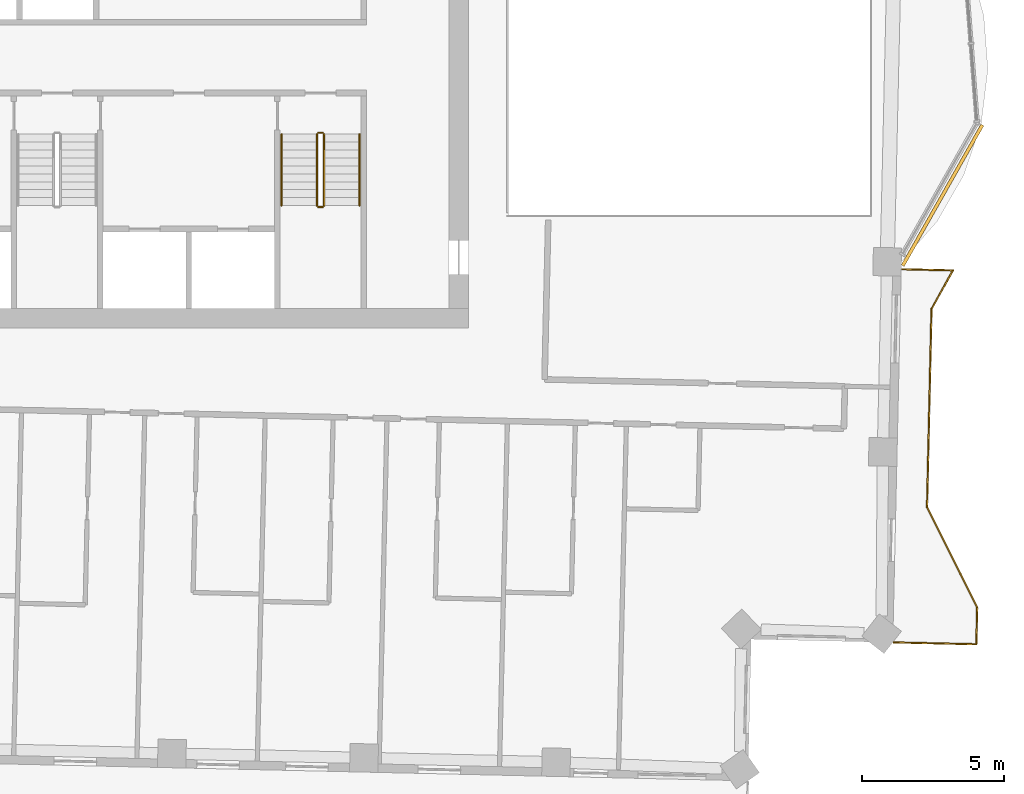
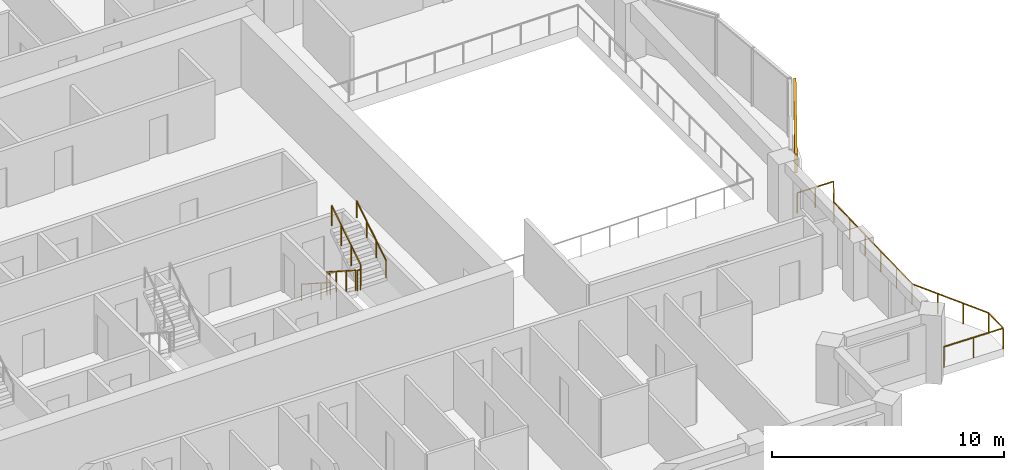
# One storey, part 16 of 17: 7 railings, 1 covering.
"""IFC4 building model written with IfcOpenShell, lengths in metres."""

import ifcopenshell
import ifcopenshell.guid

model = None  # the IFC model being written
_history = None  # IfcOwnerHistory: only IFC2X3 demands one
_inside = {}  # id of a spatial element -> (the spatial element, [elements in it])
_under = {}  # id of a project, library or spatial element -> (it, [spatial elements below it])
_declared = {}  # id of a project -> (the project, [libraries it declares])
_typed = {}  # id of a type object -> (the type object, [elements of that type])
_made_of = {}  # id of a material, layer set ... -> (it, [elements and type objects made of it])


def new_model(schema):
    """Start an empty IFC model of exactly this schema.

    Asked for "IFC4X3", IfcOpenShell would pick the latest addendum, in which some entities
    have other attributes; the version numbers below select the first issue.
    IFC2X3 requires an IfcOwnerHistory on every rooted entity: one is made here for all.
    """
    global model, _history
    if schema == "IFC4X3":
        model = ifcopenshell.file(schema_version=(4, 3, 0, 0))
    else:
        model = ifcopenshell.file(schema=schema)
    _inside.clear()
    _under.clear()
    _declared.clear()
    _typed.clear()
    _made_of.clear()
    _history = None
    if model.schema == "IFC2X3":
        org = make("IfcOrganization", Name="unknown")
        user = make(
            "IfcPersonAndOrganization",
            ThePerson=make("IfcPerson", FamilyName="unknown"),
            TheOrganization=org,
        )
        app = make(
            "IfcApplication",
            ApplicationDeveloper=org,
            Version="unknown",
            ApplicationFullName="unknown",
            ApplicationIdentifier="unknown",
        )
        _history = make(
            "IfcOwnerHistory",
            OwningUser=user,
            OwningApplication=app,
            ChangeAction="ADDED",
            CreationDate=0,
        )
    return model


def make(cls, **values):
    """One entity of the class cls with the attributes given. An attribute that is None is left unset."""
    return model.create_entity(
        cls, **{name: value for name, value in values.items() if value is not None}
    )


def rooted(cls, **values):
    """An entity with a GlobalId (a new one), such as an element, a storey or a relation."""
    return make(cls, GlobalId=ifcopenshell.guid.new(), OwnerHistory=_history, **values)


def si_unit(unit_type, name, prefix=None):
    """IfcSIUnit, for example si_unit("LENGTHUNIT", "METRE", prefix="MILLI")."""
    return make("IfcSIUnit", UnitType=unit_type, Prefix=prefix, Name=name)


def assignment(units):
    """IfcUnitAssignment: the units of a project."""
    return None if units is None else make("IfcUnitAssignment", Units=units)


def point(xyz):
    """IfcCartesianPoint."""
    return None if xyz is None else make("IfcCartesianPoint", Coordinates=xyz)


def direction(xyz):
    """IfcDirection."""
    return None if xyz is None else make("IfcDirection", DirectionRatios=xyz)


def frame(location, z_axis=None, x_axis=None):
    """IfcAxis2Placement3D, a coordinate frame: its origin and axes. An axis left out is left unset."""
    return make(
        "IfcAxis2Placement3D",
        Location=point(location),
        Axis=direction(z_axis),
        RefDirection=direction(x_axis),
    )


def frame_2d(location, x_axis=None):
    """IfcAxis2Placement2D, a coordinate frame in the plane: its origin and x axis."""
    return make(
        "IfcAxis2Placement2D", Location=point(location), RefDirection=direction(x_axis)
    )


def origin():
    """The frame at (0, 0, 0) with its axes left unset."""
    return frame((0.0, 0.0, 0.0))


def origin_2d():
    """The frame at (0, 0) in the plane with its x axis left unset."""
    return frame_2d((0.0, 0.0))


def place(relative_to, where):
    """IfcLocalPlacement: puts the frame where relative to a parent placement (None: the world)."""
    return make(
        "IfcLocalPlacement", PlacementRelTo=relative_to, RelativePlacement=where
    )


def context(
    kind, dimensions, precision=None, world=None, true_north=None, identifier=None
):
    """IfcGeometricRepresentationContext, for example the 3D "Model" context."""
    return make(
        "IfcGeometricRepresentationContext",
        ContextIdentifier=identifier,
        ContextType=kind,
        CoordinateSpaceDimension=dimensions,
        Precision=precision,
        WorldCoordinateSystem=world,
        TrueNorth=true_north,
    )


def subcontext(parent, identifier, kind, view, scale=None):
    """IfcGeometricRepresentationSubContext, for example "Body" below "Model"."""
    return make(
        "IfcGeometricRepresentationSubContext",
        ContextIdentifier=identifier,
        ContextType=kind,
        ParentContext=parent,
        TargetScale=scale,
        TargetView=view,
    )


def project(units=None, contexts=None):
    """IfcProject with its units and contexts."""
    return rooted(
        "IfcProject",
        Name="project",
        RepresentationContexts=contexts,
        UnitsInContext=assignment(units),
    )


def spatial(cls, under=None, at=None, **own):
    """A site, building, storey or space (cls), placed at a placement, below another one or the project."""
    s = rooted(cls, ObjectPlacement=at, **own)
    if under is not None:
        _under.setdefault(under.id(), (under, []))[1].append(s)
    return s


def profile(cls, at=None, kind="AREA", **sizes):
    """A parametric profile (cls). Its sizes go by their IFC names, for example OverallWidth=200.0."""
    return make(cls, ProfileType=kind, Position=at, **sizes)


def rectangle(**sizes):
    """IfcRectangleProfileDef."""
    return profile("IfcRectangleProfileDef", **sizes)


def circle(**sizes):
    """IfcCircleProfileDef."""
    return profile("IfcCircleProfileDef", **sizes)


def extrude(swept, where, along, depth):
    """IfcExtrudedAreaSolid: the profile swept, set in the frame where, extruded along a direction by depth."""
    return make(
        "IfcExtrudedAreaSolid",
        SweptArea=swept,
        Position=where,
        ExtrudedDirection=direction(along),
        Depth=depth,
    )


def shape(context_of_items, identifier, shape_type, items):
    """IfcShapeRepresentation: the items that make up one representation, for example the "Body"."""
    return make(
        "IfcShapeRepresentation",
        ContextOfItems=context_of_items,
        RepresentationIdentifier=identifier,
        RepresentationType=shape_type,
        Items=items,
    )


def material(Name=None, Category=None):
    """IfcMaterial."""
    return make("IfcMaterial", Name=Name, Category=Category)


def layer(
    of_material, thickness, ventilated=None, Name=None, Category=None, Priority=None
):
    """IfcMaterialLayer: one layer of a wall or slab, of a material (None: an air gap)."""
    return make(
        "IfcMaterialLayer",
        Material=of_material,
        LayerThickness=thickness,
        IsVentilated=ventilated,
        Name=Name,
        Category=Category,
        Priority=Priority,
    )


def layer_set(layers, Name=None):
    """IfcMaterialLayerSet."""
    return make("IfcMaterialLayerSet", MaterialLayers=layers, LayerSetName=Name)


def made_of(thing, what):
    """Note that an element or type object is made of a material, layer set ...; save() writes the relation."""
    if what is not None:
        _made_of.setdefault(what.id(), (what, []))[1].append(thing)
    return thing


def type_object(cls, material=None, **own):
    """A type object (cls), such as IfcWallType, which elements share."""
    return made_of(rooted(cls, **own), material)


def element(
    cls,
    number,
    at=None,
    inside=None,
    cuts=None,
    type_object=None,
    material=None,
    context=None,
    identifier="Body",
    shape_type=None,
    held_by="IfcProductDefinitionShape",
    body=None,
    shapes=None,
    **own,
):
    """One element of the class cls, such as IfcWall. Its Tag is "e" and its number.

    at: its placement. inside: the storey or other place that contains it. cuts: it is an
    opening in that element (IfcRelVoidsElement). A single representation is given by context,
    identifier, shape_type and body (its items); several are given by shapes. held_by: the class
    of the entity that holds the representations. save() writes the other relations.
    """
    e = rooted(cls, Tag="e%d" % number, ObjectPlacement=at, **own)
    if body is not None:
        shapes = [shape(context, identifier, shape_type, body)]
    if shapes is not None:
        e.Representation = make(held_by, Representations=shapes)
    if inside is not None:
        _inside.setdefault(inside.id(), (inside, []))[1].append(e)
    if cuts is not None:
        rooted(
            "IfcRelVoidsElement", RelatingBuildingElement=cuts, RelatedOpeningElement=e
        )
    if type_object is not None:
        _typed.setdefault(type_object.id(), (type_object, []))[1].append(e)
    return made_of(e, material)


def aggregate(whole, parts):
    """IfcRelAggregates: a whole, such as a stair, and the parts it consists of."""
    return rooted("IfcRelAggregates", RelatingObject=whole, RelatedObjects=parts)


def save(model, path):
    """Write the relations noted so far, then the file.

    IfcRelAggregates (storeys below a building ...), IfcRelContainedInSpatialStructure (elements
    in a storey), IfcRelDefinesByType, IfcRelAssociatesMaterial and IfcRelDeclares: one each for
    every whole, place, type object, material and project.
    """
    for whole, parts in _under.values():
        aggregate(whole, parts)
    for where, things in _inside.values():
        rooted(
            "IfcRelContainedInSpatialStructure",
            RelatedElements=things,
            RelatingStructure=where,
        )
    for kind, things in _typed.values():
        rooted("IfcRelDefinesByType", RelatedObjects=things, RelatingType=kind)
    for what, things in _made_of.values():
        rooted("IfcRelAssociatesMaterial", RelatedObjects=things, RelatingMaterial=what)
    for by, libraries in _declared.values():
        rooted("IfcRelDeclares", RelatingContext=by, RelatedDefinitions=libraries)
    model.write(path)


model = new_model("IFC4")

# Units and contexts
model_context = context("Model", 3, precision=1e-05, world=origin(), true_north=direction((0.0, 1.0)))
body_context = subcontext(model_context, "Body", "Model", "MODEL_VIEW")
ifc_project = project(units=[si_unit("LENGTHUNIT", "METRE"), si_unit("AREAUNIT", "SQUARE_METRE"), si_unit("VOLUMEUNIT", "CUBIC_METRE"), si_unit("PLANEANGLEUNIT", "RADIAN"), si_unit("MASSUNIT", "GRAM", prefix="KILO")], contexts=[model_context])

# Site, building, storey
site_placement = place(None, origin())
site = spatial("IfcSite", under=ifc_project, at=site_placement, CompositionType="ELEMENT")
building_placement = place(site_placement, origin())
building = spatial("IfcBuilding", under=site, at=building_placement, Name="Mangrove Gate Tower", CompositionType="ELEMENT")
storey_placement = place(building_placement, frame((0.0, 0.0, 264.5)))
storey = spatial("IfcBuildingStorey", under=building, at=storey_placement, Name="L67", CompositionType="ELEMENT", Elevation=264.5)

# Railings
ifc_material_1 = material(Name="Stainless steel grade 316 with laminated glass infill", Category="steel")
railing_type_1 = type_object("IfcRailingType", Name="Balcony guard 1100", PredefinedType="GUARDRAIL", material=ifc_material_1)
railing_1_placement = place(storey_placement, frame((29.508056640625, -22.589111328125, 0.0)))
element("IfcRailing", 1, at=railing_1_placement, inside=storey, type_object=railing_type_1, Name="GUARD L67 E1", PredefinedType="GUARDRAIL", context=body_context, shape_type="SweptSolid", body=[
    extrude(rectangle(XDim=0.048095703125, YDim=0.048095703125, at=origin_2d()), frame((0.0, 0.0, 1.076171875), z_axis=(0.999750894749, -0.022319239446, 0.0), x_axis=(0.022319239446, 0.999750894749, 0.0)), (0.0, 0.0, 1.0), 2.90966796875),
    extrude(rectangle(XDim=0.048095703125, YDim=0.048095703125, at=origin_2d()), frame((2.908935546875, -0.06494140625, 1.076171875), z_axis=(0.023109782146, 0.999732933322, 0.0), x_axis=(-0.999732933322, 0.023109782146, 0.0)), (0.0, 0.0, 1.0), 1.29931640625),
    extrude(rectangle(XDim=0.048095703125, YDim=0.048095703125, at=origin_2d()), frame((2.93896484375, 1.234130859375, 1.076171875), z_axis=(-0.447114919141, 0.894476522376, 0.0), x_axis=(-0.894476522376, -0.447114919141, 0.0)), (0.0, 0.0, 1.0), 3.958740234375),
    extrude(rectangle(XDim=0.048095703125, YDim=0.048095703125, at=origin_2d()), frame((1.1689453125, 4.775146484375, 1.076171875), z_axis=(0.022705559911, 0.999742195543, 0.0), x_axis=(-0.999742195543, 0.022705559911, 0.0)), (0.0, 0.0, 1.0), 6.999755859375),
    extrude(rectangle(XDim=0.048095703125, YDim=0.048095703125, at=origin_2d()), frame((1.327880859375, 11.773193359375, 1.076171875), z_axis=(0.486962351773, 0.873422960516, 0.0), x_axis=(-0.873422960516, 0.486962351773, 0.0)), (0.0, 0.0, 1.0), 1.5546875),
    extrude(rectangle(XDim=0.048095703125, YDim=0.048095703125, at=origin_2d()), frame((2.0849609375, 13.131103515625, 1.076171875), z_axis=(-0.999736446094, 0.022957315875, 0.0), x_axis=(-0.022957315875, -0.999736446094, 0.0)), (0.0, 0.0, 1.0), 1.78662109375),
    extrude(rectangle(XDim=0.0419921875, YDim=0.0419921875, at=origin_2d()), origin(), (0.0, 0.0, 1.0), 1.052001953125),
    extrude(rectangle(XDim=0.0419921875, YDim=0.0419921875, at=origin_2d()), frame((1.45458984375, -0.032470703125, 0.0)), (0.0, 0.0, 1.0), 1.052001953125),
    extrude(rectangle(XDim=0.0419921875, YDim=0.0419921875, at=origin_2d()), frame((2.908935546875, -0.06494140625, 0.0)), (0.0, 0.0, 1.0), 1.052001953125),
    extrude(rectangle(XDim=0.0419921875, YDim=0.0419921875, at=origin_2d()), frame((2.93896484375, 1.234130859375, 0.0)), (0.0, 0.0, 1.0), 1.052001953125),
    extrude(rectangle(XDim=0.0419921875, YDim=0.0419921875, at=origin_2d()), frame((2.348876953125, 2.41455078125, 0.0)), (0.0, 0.0, 1.0), 1.052001953125),
    extrude(rectangle(XDim=0.0419921875, YDim=0.0419921875, at=origin_2d()), frame((1.759033203125, 3.5947265625, 0.0)), (0.0, 0.0, 1.0), 1.052001953125),
    extrude(rectangle(XDim=0.0419921875, YDim=0.0419921875, at=origin_2d()), frame((1.1689453125, 4.775146484375, 0.0)), (0.0, 0.0, 1.0), 1.052001953125),
    extrude(rectangle(XDim=0.0419921875, YDim=0.0419921875, at=origin_2d()), frame((1.20068359375, 6.1748046875, 0.0)), (0.0, 0.0, 1.0), 1.052001953125),
    extrude(rectangle(XDim=0.0419921875, YDim=0.0419921875, at=origin_2d()), frame((1.232421875, 7.574462890625, 0.0)), (0.0, 0.0, 1.0), 1.052001953125),
    extrude(rectangle(XDim=0.0419921875, YDim=0.0419921875, at=origin_2d()), frame((1.264404296875, 8.973876953125, 0.0)), (0.0, 0.0, 1.0), 1.052001953125),
    extrude(rectangle(XDim=0.0419921875, YDim=0.0419921875, at=origin_2d()), frame((1.296142578125, 10.37353515625, 0.0)), (0.0, 0.0, 1.0), 1.052001953125),
    extrude(rectangle(XDim=0.0419921875, YDim=0.0419921875, at=origin_2d()), frame((1.327880859375, 11.773193359375, 0.0)), (0.0, 0.0, 1.0), 1.052001953125),
    extrude(rectangle(XDim=0.0419921875, YDim=0.0419921875, at=origin_2d()), frame((1.70654296875, 12.4521484375, 0.0)), (0.0, 0.0, 1.0), 1.052001953125),
    extrude(rectangle(XDim=0.0419921875, YDim=0.0419921875, at=origin_2d()), frame((2.0849609375, 13.131103515625, 0.0)), (0.0, 0.0, 1.0), 1.052001953125),
    extrude(rectangle(XDim=0.0419921875, YDim=0.0419921875, at=origin_2d()), frame((1.19189453125, 13.151611328125, 0.0)), (0.0, 0.0, 1.0), 1.052001953125),
    extrude(rectangle(XDim=0.0419921875, YDim=0.0419921875, at=origin_2d()), frame((0.298828125, 13.172119140625, 0.0)), (0.0, 0.0, 1.0), 1.052001953125),
])
ifc_material_2 = material(Name="Stainless steel 316", Category="steel")
railing_type_2 = type_object("IfcRailingType", Name="Core stair guard 1100", PredefinedType="GUARDRAIL", material=ifc_material_2)
railing_2_placement = place(storey_placement, frame((9.14990234375, -4.64990234375, 0.179931640625)))
element("IfcRailing", 2, at=railing_2_placement, inside=storey, type_object=railing_type_2, Name="L67 ST3 stair guard 1", PredefinedType="GUARDRAIL", context=body_context, shape_type="SweptSolid", body=[
    extrude(rectangle(XDim=0.048095703125, YDim=0.048095703125, at=origin_2d()), frame((0.0, 0.0, 1.076171875), z_axis=(0.0, -0.841162588446, 0.540782303519), x_axis=(1.0, 0.0, 0.0)), (0.0, 0.0, 1.0), 2.995849609375),
    extrude(rectangle(XDim=0.0419921875, YDim=0.0419921875, at=origin_2d()), origin(), (0.0, 0.0, 1.0), 1.052001953125),
    extrude(rectangle(XDim=0.0419921875, YDim=0.0419921875, at=origin_2d()), frame((0.0, -0.840087890625, 0.5400390625)), (0.0, 0.0, 1.0), 1.052001953125),
    extrude(rectangle(XDim=0.0419921875, YDim=0.0419921875, at=origin_2d()), frame((0.0, -1.679931640625, 1.080078125)), (0.0, 0.0, 1.0), 1.052001953125),
    extrude(rectangle(XDim=0.0419921875, YDim=0.0419921875, at=origin_2d()), frame((0.0, -2.52001953125, 1.6201171875)), (0.0, 0.0, 1.0), 1.052001953125),
])
railing_3_placement = place(storey_placement, frame((9.199951171875, -7.219970703125, 1.800048828125)))
element("IfcRailing", 3, at=railing_3_placement, inside=storey, type_object=railing_type_2, Name="L67 ST3 stair guard 2", PredefinedType="GUARDRAIL", context=body_context, shape_type="SweptSolid", body=[
    extrude(rectangle(XDim=0.048095703125, YDim=0.048095703125, at=origin_2d()), frame((0.0, 0.0, 1.076171875), z_axis=(1.0, 0.0, 0.0), x_axis=(0.0, 1.0, 0.0)), (0.0, 0.0, 1.0), 0.150146484375),
    extrude(rectangle(XDim=0.0419921875, YDim=0.0419921875, at=origin_2d()), origin(), (0.0, 0.0, 1.0), 1.052001953125),
    extrude(rectangle(XDim=0.0419921875, YDim=0.0419921875, at=origin_2d()), frame((0.150146484375, 0.0, 0.0)), (0.0, 0.0, 1.0), 1.052001953125),
])
railing_4_placement = place(storey_placement, frame((9.39990234375, -7.169921875, 1.97998046875)))
element("IfcRailing", 4, at=railing_4_placement, inside=storey, type_object=railing_type_2, Name="L67 ST3 stair guard 3", PredefinedType="GUARDRAIL", context=body_context, shape_type="SweptSolid", body=[
    extrude(rectangle(XDim=0.048095703125, YDim=0.048095703125, at=origin_2d()), frame((0.0, 0.0, 1.076171875), z_axis=(0.0, 0.841162588446, 0.540782303519), x_axis=(-1.0, 0.0, 0.0)), (0.0, 0.0, 1.0), 2.995849609375),
    extrude(rectangle(XDim=0.0419921875, YDim=0.0419921875, at=origin_2d()), origin(), (0.0, 0.0, 1.0), 1.052001953125),
    extrude(rectangle(XDim=0.0419921875, YDim=0.0419921875, at=origin_2d()), frame((0.0, 0.840087890625, 0.5400390625)), (0.0, 0.0, 1.0), 1.052001953125),
    extrude(rectangle(XDim=0.0419921875, YDim=0.0419921875, at=origin_2d()), frame((0.0, 1.679931640625, 1.080078125)), (0.0, 0.0, 1.0), 1.052001953125),
    extrude(rectangle(XDim=0.0419921875, YDim=0.0419921875, at=origin_2d()), frame((0.0, 2.52001953125, 1.6201171875)), (0.0, 0.0, 1.0), 1.052001953125),
])
railing_5_placement = place(storey_placement, frame((9.199951171875, -4.60009765625, 0.0)))
element("IfcRailing", 5, at=railing_5_placement, inside=storey, type_object=railing_type_2, Name="L67 ST3 stair guard 4", PredefinedType="GUARDRAIL", context=body_context, shape_type="SweptSolid", body=[
    extrude(rectangle(XDim=0.048095703125, YDim=0.048095703125, at=origin_2d()), frame((0.0, 0.0, 1.076171875), z_axis=(1.0, 0.0, 0.0), x_axis=(0.0, 1.0, 0.0)), (0.0, 0.0, 1.0), 0.150146484375),
    extrude(rectangle(XDim=0.0419921875, YDim=0.0419921875, at=origin_2d()), origin(), (0.0, 0.0, 1.0), 1.052001953125),
    extrude(rectangle(XDim=0.0419921875, YDim=0.0419921875, at=origin_2d()), frame((0.150146484375, 0.0, 0.0)), (0.0, 0.0, 1.0), 1.052001953125),
])
ifc_material_3 = material(Name="Stainless steel 316", Category="steel")
railing_type_3 = type_object("IfcRailingType", Name="Core stair handrail 900", PredefinedType="HANDRAIL", material=ifc_material_3)
railing_6_placement = place(storey_placement, frame((7.89990234375, -4.64990234375, 0.179931640625)))
element("IfcRailing", 6, at=railing_6_placement, inside=storey, type_object=railing_type_3, Name="L67 ST3 stair handrail 1", PredefinedType="HANDRAIL", context=body_context, shape_type="SweptSolid", body=[
    extrude(circle(Radius=0.02392578125, at=origin_2d()), frame((0.0, 0.0, 0.8759765625), z_axis=(0.0, -0.841162588446, 0.540782303519), x_axis=(1.0, 0.0, 0.0)), (0.0, 0.0, 1.0), 2.995849609375),
    extrude(circle(Radius=0.02099609375, at=origin_2d()), origin(), (0.0, 0.0, 1.0), 0.851806640625),
    extrude(circle(Radius=0.02099609375, at=origin_2d()), frame((0.0, -0.840087890625, 0.5400390625)), (0.0, 0.0, 1.0), 0.851806640625),
    extrude(circle(Radius=0.02099609375, at=origin_2d()), frame((0.0, -1.679931640625, 1.080078125)), (0.0, 0.0, 1.0), 0.851806640625),
    extrude(circle(Radius=0.02099609375, at=origin_2d()), frame((0.0, -2.52001953125, 1.6201171875)), (0.0, 0.0, 1.0), 0.851806640625),
])
railing_7_placement = place(storey_placement, frame((10.64990234375, -7.169921875, 1.97998046875)))
element("IfcRailing", 7, at=railing_7_placement, inside=storey, type_object=railing_type_3, Name="L67 ST3 stair handrail 2", PredefinedType="HANDRAIL", context=body_context, shape_type="SweptSolid", body=[
    extrude(circle(Radius=0.02392578125, at=origin_2d()), frame((0.0, 0.0, 0.8759765625), z_axis=(0.0, 0.841162588446, 0.540782303519), x_axis=(-1.0, 0.0, 0.0)), (0.0, 0.0, 1.0), 2.995849609375),
    extrude(circle(Radius=0.02099609375, at=origin_2d()), origin(), (0.0, 0.0, 1.0), 0.851806640625),
    extrude(circle(Radius=0.02099609375, at=origin_2d()), frame((0.0, 0.840087890625, 0.5400390625)), (0.0, 0.0, 1.0), 0.851806640625),
    extrude(circle(Radius=0.02099609375, at=origin_2d()), frame((0.0, 1.679931640625, 1.080078125)), (0.0, 0.0, 1.0), 0.851806640625),
    extrude(circle(Radius=0.02099609375, at=origin_2d()), frame((0.0, 2.52001953125, 1.6201171875)), (0.0, 0.0, 1.0), 0.851806640625),
])

# Covering
ifc_material_4 = material(Name="Limestone", Category="masonry")
ifc_layer_1 = layer(ifc_material_4, 0.0400390625, Name="Limestone cladding")
ifc_material_5 = material(Name="Stainless steel anchors and cavity", Category="steel")
ifc_layer_2 = layer(ifc_material_5, 0.080078125, Name="Fixing cavity")
ifc_layer_set = layer_set([ifc_layer_1, ifc_layer_2], Name="Joint fascia cladding 120")
covering_type = type_object("IfcCoveringType", Name="Joint fascia cladding 120", PredefinedType="CLADDING", material=ifc_layer_set)
covering_placement = place(storey_placement, frame((29.820068359375, -9.29296875, 2.050048828125), z_axis=(0.0, 0.0, 1.0), x_axis=(0.492443523438, 0.870344400926, 0.0)))
element("IfcCovering", 8, at=covering_placement, inside=storey, type_object=covering_type, Name="STONE FASCIA L67 E1.L1", PredefinedType="CLADDING", context=body_context, shape_type="SweptSolid", body=[
    extrude(rectangle(XDim=5.705810546875, YDim=0.1201171875, at=frame_2d((2.85302734375, 0.0))), origin(), (0.0, 0.0, 1.0), 1.0),
])

save(model, "model.ifc")
